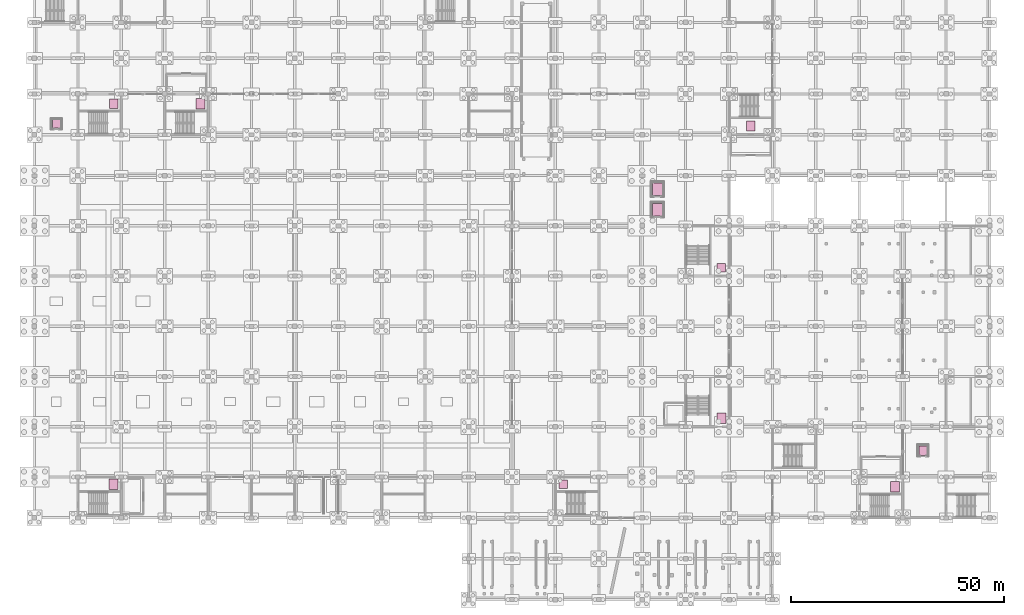
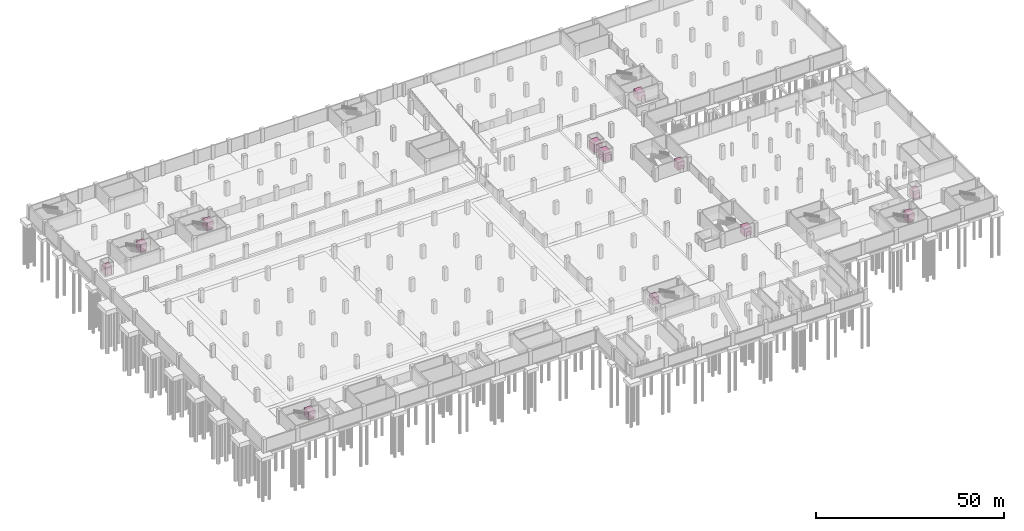
# One storey, part 52 of 52: 12 transport elements.
"""IFC4 building model written with IfcOpenShell, lengths in metres."""

from ifc_helpers import new_model, si_unit, direction, frame, origin, origin_2d, place, context, subcontext, project, spatial, rectangle, extrude, material, type_object, element, save


model = new_model("IFC4")

# Units and contexts
model_context = context("Model", 3, precision=1e-05, world=origin(), true_north=direction((0.0, 1.0)))
body_context = subcontext(model_context, "Body", "Model", "MODEL_VIEW")
ifc_project = project(units=[si_unit("LENGTHUNIT", "METRE"), si_unit("AREAUNIT", "SQUARE_METRE"), si_unit("VOLUMEUNIT", "CUBIC_METRE"), si_unit("PLANEANGLEUNIT", "RADIAN"), si_unit("MASSUNIT", "GRAM", prefix="KILO")], contexts=[model_context])

# Site, building, storey
site_placement = place(None, origin())
site = spatial("IfcSite", under=ifc_project, at=site_placement, CompositionType="ELEMENT")
building_placement = place(site_placement, origin())
building = spatial("IfcBuilding", under=site, at=building_placement, Name="Brelvane Convention Centre", CompositionType="ELEMENT")
storey_placement = place(building_placement, frame((0.0, 0.0, -4.5)))
storey = spatial("IfcBuildingStorey", under=building, at=storey_placement, Name="B1", CompositionType="ELEMENT", Elevation=-4.5)

# Transport elements
ifc_material_1 = material(Name="Steel E350 (350 MPa)", Category="steel")
transport_element_type_1 = type_object("IfcTransportElementType", Name="Elevator LIFT-FF", PredefinedType="ELEVATOR", material=ifc_material_1)
for number, where, z_axis, x_axis, name in (
    (1, (18.580078125, 27.10009765625, 0.1201171875), (0.0, 0.0, 1.0), (1.0, 0.0, 0.0), "Elevator LF-01 (Firefighting)"),
    (2, (161.3798828125, 42.60009765625, 0.1201171875), (0.0, 0.0, 1.0), (1.0, 0.0, 0.0), "Elevator LF-02 (Firefighting)"),
    (3, (168.300048828125, 111.25, 0.1201171875), (0.0, 0.0, 1.0), (1.0, 0.0, 0.0), "Elevator LF-03 (Firefighting)"),
    (4, (38.97998046875, 116.5, 0.1201171875), (0.0, 0.0, 1.0), (1.0, 0.0, 0.0), "Elevator LF-04 (Firefighting)"),
    (5, (202.179931640625, 26.5, 0.1201171875), (0.0, 0.0, 1.0), (1.0, 0.0, 0.0), "Elevator LF-05 (Firefighting)"),
):
    element("IfcTransportElement", number, at=place(storey_placement, frame(where, z_axis=z_axis, x_axis=x_axis)), inside=storey, type_object=transport_element_type_1, Name=name, PredefinedType="ELEVATOR", context=body_context, shape_type="SweptSolid", body=[
        extrude(rectangle(XDim=2.10009765625, YDim=2.39990234375, at=origin_2d()), origin(), (0.0, 0.0, 1.0), 2.550048828125),
    ])
ifc_material_2 = material(Name="Steel E350 (350 MPa)", Category="steel")
transport_element_type_2 = type_object("IfcTransportElementType", Name="Elevator LIFT-GDS", PredefinedType="ELEVATOR", material=ifc_material_2)
for number, where, z_axis, x_axis, name in (
    (6, (146.39990234375, 91.60009765625, 0.1201171875), (0.0, 0.0, 1.0), (1.0, 0.0, 0.0), "Elevator LG-01 (Goods)"),
    (7, (146.39990234375, 96.39990234375, 0.1201171875), (0.0, 0.0, 1.0), (1.0, 0.0, 0.0), "Elevator LG-02 (Goods)"),
):
    element("IfcTransportElement", number, at=place(storey_placement, frame(where, z_axis=z_axis, x_axis=x_axis)), inside=storey, type_object=transport_element_type_2, Name=name, PredefinedType="ELEVATOR", context=body_context, shape_type="SweptSolid", body=[
        extrude(rectangle(XDim=2.39990234375, YDim=3.0, at=origin_2d()), origin(), (0.0, 0.0, 1.0), 2.64990234375),
    ])
ifc_material_3 = material(Name="Steel E350 (350 MPa)", Category="steel")
transport_element_type_3 = type_object("IfcTransportElementType", Name="Elevator LIFT-PA", PredefinedType="ELEVATOR", material=ifc_material_3)
for number, where, z_axis, x_axis, name in (
    (8, (124.219970703125, 27.10009765625, 0.1201171875), (0.0, 0.0, 1.0), (1.0, 0.0, 0.0), "Elevator LP-01 (Passenger)"),
    (9, (161.3798828125, 78.0, 0.1201171875), (0.0, 0.0, 1.0), (1.0, 0.0, 0.0), "Elevator LP-02 (Passenger)"),
    (10, (5.199951171875, 111.75, 0.1201171875), (0.0, 0.0, 1.0), (1.0, 0.0, 0.0), "Elevator LP-06 (Passenger)"),
):
    element("IfcTransportElement", number, at=place(storey_placement, frame(where, z_axis=z_axis, x_axis=x_axis)), inside=storey, type_object=transport_element_type_3, Name=name, PredefinedType="ELEVATOR", context=body_context, shape_type="SweptSolid", body=[
        extrude(rectangle(XDim=2.0, YDim=2.0, at=origin_2d()), origin(), (0.0, 0.0, 1.0), 2.550048828125),
    ])
ifc_material_4 = material(Name="Steel E350 (350 MPa)", Category="steel")
transport_element_type_4 = type_object("IfcTransportElementType", Name="Elevator LIFT-PB", PredefinedType="ELEVATOR", material=ifc_material_4)
for number, where, z_axis, x_axis, name in (
    (11, (18.580078125, 116.5, 0.1201171875), (0.0, 0.0, 1.0), (1.0, 0.0, 0.0), "Elevator LP-03 (Passenger)"),
    (12, (208.800048828125, 35.0, 0.1201171875), (0.0, 0.0, 1.0), (1.0, 0.0, 0.0), "Elevator LP-05 (Passenger)"),
):
    element("IfcTransportElement", number, at=place(storey_placement, frame(where, z_axis=z_axis, x_axis=x_axis)), inside=storey, type_object=transport_element_type_4, Name=name, PredefinedType="ELEVATOR", context=body_context, shape_type="SweptSolid", body=[
        extrude(rectangle(XDim=2.0, YDim=2.199951171875, at=origin_2d()), origin(), (0.0, 0.0, 1.0), 2.550048828125),
    ])

save(model, "model.ifc")
